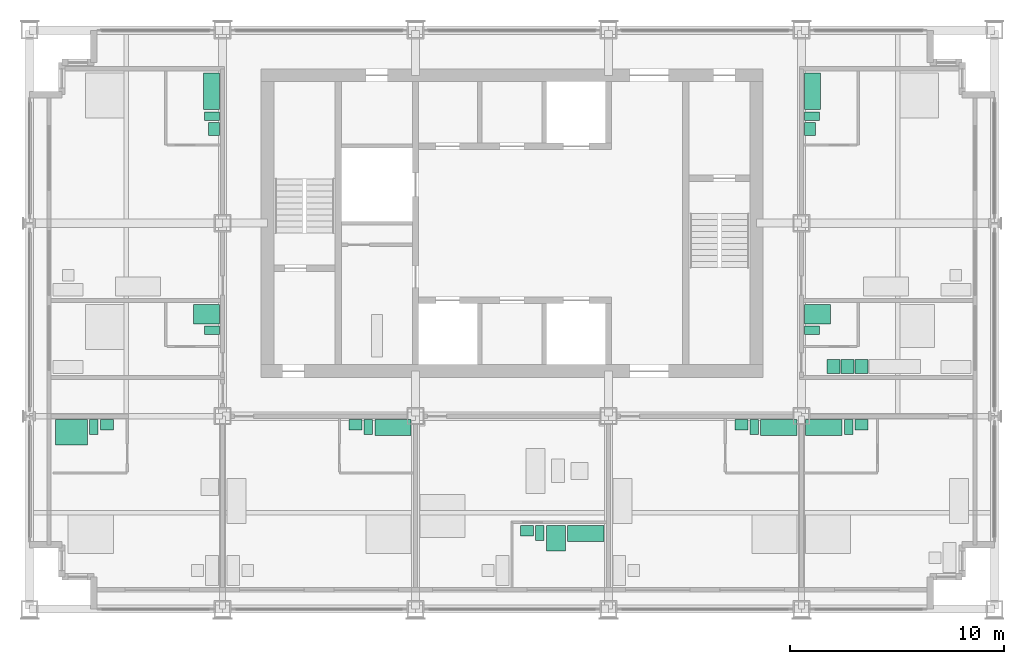
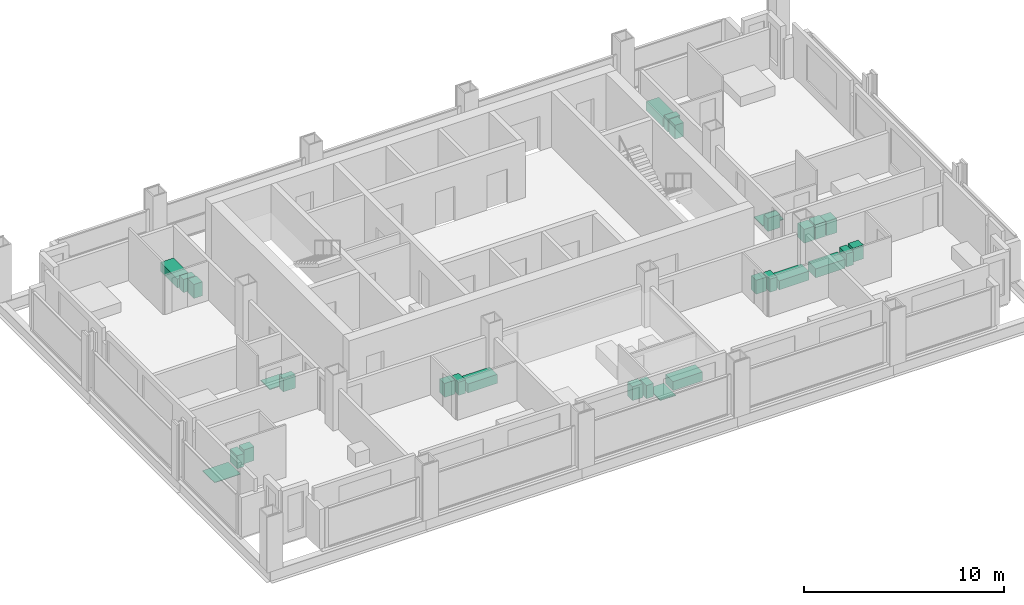
# One storey, part 12 of 13: 26 sanitary terminals, 3 electric appliances.
"""IFC4 building model written with IfcOpenShell, lengths in metres."""

from ifc_helpers import new_model, si_unit, direction, frame, origin, origin_2d, place, context, subcontext, project, spatial, rectangle, extrude, element, save


model = new_model("IFC4")

# Units and contexts
model_context = context("Model", 3, precision=1e-05, world=origin(), true_north=direction((0.0, 1.0)))
body_context = subcontext(model_context, "Body", "Model", "MODEL_VIEW")
ifc_project = project(units=[si_unit("LENGTHUNIT", "METRE"), si_unit("AREAUNIT", "SQUARE_METRE"), si_unit("VOLUMEUNIT", "CUBIC_METRE"), si_unit("PLANEANGLEUNIT", "RADIAN"), si_unit("MASSUNIT", "GRAM", prefix="KILO")], contexts=[model_context])

# Site, building, storey
site_placement = place(None, origin())
site = spatial("IfcSite", under=ifc_project, at=site_placement, CompositionType="ELEMENT")
building_placement = place(site_placement, origin())
building = spatial("IfcBuilding", under=site, at=building_placement, Name="Loomwork Tower", CompositionType="ELEMENT")
storey_placement = place(building_placement, frame((0.0, 0.0, 174.0)))
storey = spatial("IfcBuildingStorey", under=building, at=storey_placement, Name="L47", CompositionType="ELEMENT", Elevation=174.0)

# Sanitary terminals
sanitary_terminal_1_placement = place(storey_placement, frame((1.949951171875, 8.25, 0.0), z_axis=(0.0, 0.0, 1.0), x_axis=(1.0, 0.0, 0.0)))
element("IfcSanitaryTerminal", 1, at=sanitary_terminal_1_placement, inside=storey, Name="Roll-in shower floor L47", PredefinedType="SHOWER", context=body_context, shape_type="SweptSolid", body=[
    extrude(rectangle(XDim=1.5, YDim=1.199951171875, at=origin_2d()), origin(), (0.0, 0.0, 1.0), 0.030029296875),
])
sanitary_terminal_2_placement = place(storey_placement, frame((3.0, 8.5, 0.0), z_axis=(0.0, 0.0, 1.0), x_axis=(1.0, 0.0, 0.0)))
element("IfcSanitaryTerminal", 2, at=sanitary_terminal_2_placement, inside=storey, Name="WC L47", PredefinedType="TOILETPAN", context=body_context, shape_type="SweptSolid", body=[
    extrude(rectangle(XDim=0.39990234375, YDim=0.699951171875, at=origin_2d()), origin(), (0.0, 0.0, 1.0), 0.800048828125),
])
sanitary_terminal_3_placement = place(storey_placement, frame((3.60009765625, 8.60009765625, 0.0), z_axis=(0.0, 0.0, 1.0), x_axis=(1.0, 0.0, 0.0)))
element("IfcSanitaryTerminal", 3, at=sanitary_terminal_3_placement, inside=storey, Name="Basin vanity L47", PredefinedType="WASHHANDBASIN", context=body_context, shape_type="SweptSolid", body=[
    extrude(rectangle(XDim=0.60009765625, YDim=0.5, at=origin_2d()), origin(), (0.0, 0.0, 1.0), 0.85009765625),
])
sanitary_terminal_4_placement = place(storey_placement, frame((16.949951171875, 8.47509765625, 0.0), z_axis=(0.0, 0.0, 1.0), x_axis=(1.0, 0.0, 0.0)))
element("IfcSanitaryTerminal", 4, at=sanitary_terminal_4_placement, inside=storey, Name="Bath L47", PredefinedType="BATH", context=body_context, shape_type="SweptSolid", body=[
    extrude(rectangle(XDim=1.699951171875, YDim=0.75, at=origin_2d()), origin(), (0.0, 0.0, 1.0), 0.550048828125),
])
sanitary_terminal_5_placement = place(storey_placement, frame((15.800048828125, 8.5, 0.0), z_axis=(0.0, 0.0, 1.0), x_axis=(1.0, 0.0, 0.0)))
element("IfcSanitaryTerminal", 5, at=sanitary_terminal_5_placement, inside=storey, Name="WC L47", PredefinedType="TOILETPAN", context=body_context, shape_type="SweptSolid", body=[
    extrude(rectangle(XDim=0.39990234375, YDim=0.699951171875, at=origin_2d()), origin(), (0.0, 0.0, 1.0), 0.800048828125),
])
sanitary_terminal_6_placement = place(storey_placement, frame((15.199951171875, 8.60009765625, 0.0), z_axis=(0.0, 0.0, 1.0), x_axis=(1.0, 0.0, 0.0)))
element("IfcSanitaryTerminal", 6, at=sanitary_terminal_6_placement, inside=storey, Name="Basin vanity L47", PredefinedType="WASHHANDBASIN", context=body_context, shape_type="SweptSolid", body=[
    extrude(rectangle(XDim=0.60009765625, YDim=0.5, at=origin_2d()), origin(), (0.0, 0.0, 1.0), 0.85009765625),
])
sanitary_terminal_7_placement = place(storey_placement, frame((25.949951171875, 3.52490234375, 0.0), z_axis=(0.0, 0.0, 1.0), x_axis=(1.0, 0.0, 0.0)))
element("IfcSanitaryTerminal", 7, at=sanitary_terminal_7_placement, inside=storey, Name="Bath L47", PredefinedType="BATH", context=body_context, shape_type="SweptSolid", body=[
    extrude(rectangle(XDim=1.699951171875, YDim=0.75, at=origin_2d()), origin(), (0.0, 0.0, 1.0), 0.550048828125),
])
sanitary_terminal_8_placement = place(storey_placement, frame((24.550048828125, 3.300048828125, 0.0), z_axis=(0.0, 0.0, 1.0), x_axis=(1.0, 0.0, 0.0)))
element("IfcSanitaryTerminal", 8, at=sanitary_terminal_8_placement, inside=storey, Name="Shower tray L47", PredefinedType="SHOWER", context=body_context, shape_type="SweptSolid", body=[
    extrude(rectangle(XDim=0.89990234375, YDim=1.199951171875, at=origin_2d()), origin(), (0.0, 0.0, 1.0), 0.050048828125),
])
sanitary_terminal_9_placement = place(storey_placement, frame((23.800048828125, 3.550048828125, 0.0), z_axis=(0.0, 0.0, 1.0), x_axis=(1.0, 0.0, 0.0)))
element("IfcSanitaryTerminal", 9, at=sanitary_terminal_9_placement, inside=storey, Name="WC L47", PredefinedType="TOILETPAN", context=body_context, shape_type="SweptSolid", body=[
    extrude(rectangle(XDim=0.39990234375, YDim=0.699951171875, at=origin_2d()), origin(), (0.0, 0.0, 1.0), 0.800048828125),
])
sanitary_terminal_10_placement = place(storey_placement, frame((23.199951171875, 3.64990234375, 0.0), z_axis=(0.0, 0.0, 1.0), x_axis=(1.0, 0.0, 0.0)))
element("IfcSanitaryTerminal", 10, at=sanitary_terminal_10_placement, inside=storey, Name="Basin vanity L47", PredefinedType="WASHHANDBASIN", context=body_context, shape_type="SweptSolid", body=[
    extrude(rectangle(XDim=0.60009765625, YDim=0.5, at=origin_2d()), origin(), (0.0, 0.0, 1.0), 0.85009765625),
])
sanitary_terminal_11_placement = place(storey_placement, frame((34.949951171875, 8.47509765625, 0.0), z_axis=(0.0, 0.0, 1.0), x_axis=(1.0, 0.0, 0.0)))
element("IfcSanitaryTerminal", 11, at=sanitary_terminal_11_placement, inside=storey, Name="Bath L47", PredefinedType="BATH", context=body_context, shape_type="SweptSolid", body=[
    extrude(rectangle(XDim=1.699951171875, YDim=0.75, at=origin_2d()), origin(), (0.0, 0.0, 1.0), 0.550048828125),
])
sanitary_terminal_12_placement = place(storey_placement, frame((33.800048828125, 8.5, 0.0), z_axis=(0.0, 0.0, 1.0), x_axis=(1.0, 0.0, 0.0)))
element("IfcSanitaryTerminal", 12, at=sanitary_terminal_12_placement, inside=storey, Name="WC L47", PredefinedType="TOILETPAN", context=body_context, shape_type="SweptSolid", body=[
    extrude(rectangle(XDim=0.39990234375, YDim=0.699951171875, at=origin_2d()), origin(), (0.0, 0.0, 1.0), 0.800048828125),
])
sanitary_terminal_13_placement = place(storey_placement, frame((33.199951171875, 8.60009765625, 0.0), z_axis=(0.0, 0.0, 1.0), x_axis=(1.0, 0.0, 0.0)))
element("IfcSanitaryTerminal", 13, at=sanitary_terminal_13_placement, inside=storey, Name="Basin vanity L47", PredefinedType="WASHHANDBASIN", context=body_context, shape_type="SweptSolid", body=[
    extrude(rectangle(XDim=0.60009765625, YDim=0.5, at=origin_2d()), origin(), (0.0, 0.0, 1.0), 0.85009765625),
])
sanitary_terminal_14_placement = place(storey_placement, frame((37.050048828125, 8.47509765625, 0.0), z_axis=(0.0, 0.0, 1.0), x_axis=(1.0, 0.0, 0.0)))
element("IfcSanitaryTerminal", 14, at=sanitary_terminal_14_placement, inside=storey, Name="Bath L47", PredefinedType="BATH", context=body_context, shape_type="SweptSolid", body=[
    extrude(rectangle(XDim=1.699951171875, YDim=0.75, at=origin_2d()), origin(), (0.0, 0.0, 1.0), 0.550048828125),
])
sanitary_terminal_15_placement = place(storey_placement, frame((38.199951171875, 8.5, 0.0), z_axis=(0.0, 0.0, 1.0), x_axis=(1.0, 0.0, 0.0)))
element("IfcSanitaryTerminal", 15, at=sanitary_terminal_15_placement, inside=storey, Name="WC L47", PredefinedType="TOILETPAN", context=body_context, shape_type="SweptSolid", body=[
    extrude(rectangle(XDim=0.39990234375, YDim=0.699951171875, at=origin_2d()), origin(), (0.0, 0.0, 1.0), 0.800048828125),
])
sanitary_terminal_16_placement = place(storey_placement, frame((38.800048828125, 8.60009765625, 0.0), z_axis=(0.0, 0.0, 1.0), x_axis=(1.0, 0.0, 0.0)))
element("IfcSanitaryTerminal", 16, at=sanitary_terminal_16_placement, inside=storey, Name="Basin vanity L47", PredefinedType="WASHHANDBASIN", context=body_context, shape_type="SweptSolid", body=[
    extrude(rectangle(XDim=0.60009765625, YDim=0.5, at=origin_2d()), origin(), (0.0, 0.0, 1.0), 0.85009765625),
])
sanitary_terminal_17_placement = place(storey_placement, frame((8.25, 13.75, 0.0), z_axis=(0.0, 0.0, 1.0), x_axis=(1.0, 0.0, 0.0)))
element("IfcSanitaryTerminal", 17, at=sanitary_terminal_17_placement, inside=storey, Name="Shower tray L47", PredefinedType="SHOWER", context=body_context, shape_type="SweptSolid", body=[
    extrude(rectangle(XDim=1.199951171875, YDim=0.89990234375, at=origin_2d()), origin(), (0.0, 0.0, 1.0), 0.050048828125),
])
sanitary_terminal_18_placement = place(storey_placement, frame((8.5, 13.0, 0.0), z_axis=(0.0, 0.0, 1.0), x_axis=(1.0, 0.0, 0.0)))
element("IfcSanitaryTerminal", 18, at=sanitary_terminal_18_placement, inside=storey, Name="WC L47", PredefinedType="TOILETPAN", context=body_context, shape_type="SweptSolid", body=[
    extrude(rectangle(XDim=0.699951171875, YDim=0.39990234375, at=origin_2d()), origin(), (0.0, 0.0, 1.0), 0.800048828125),
])
sanitary_terminal_19_placement = place(storey_placement, frame((8.47509765625, 24.14990234375, 0.0), z_axis=(0.0, 0.0, 1.0), x_axis=(1.0, 0.0, 0.0)))
element("IfcSanitaryTerminal", 19, at=sanitary_terminal_19_placement, inside=storey, Name="Bath L47", PredefinedType="BATH", context=body_context, shape_type="SweptSolid", body=[
    extrude(rectangle(XDim=0.75, YDim=1.699951171875, at=origin_2d()), origin(), (0.0, 0.0, 1.0), 0.550048828125),
])
sanitary_terminal_20_placement = place(storey_placement, frame((8.5, 23.0, 0.0), z_axis=(0.0, 0.0, 1.0), x_axis=(1.0, 0.0, 0.0)))
element("IfcSanitaryTerminal", 20, at=sanitary_terminal_20_placement, inside=storey, Name="WC L47", PredefinedType="TOILETPAN", context=body_context, shape_type="SweptSolid", body=[
    extrude(rectangle(XDim=0.699951171875, YDim=0.39990234375, at=origin_2d()), origin(), (0.0, 0.0, 1.0), 0.800048828125),
])
sanitary_terminal_21_placement = place(storey_placement, frame((8.60009765625, 22.39990234375, 0.0), z_axis=(0.0, 0.0, 1.0), x_axis=(1.0, 0.0, 0.0)))
element("IfcSanitaryTerminal", 21, at=sanitary_terminal_21_placement, inside=storey, Name="Basin vanity L47", PredefinedType="WASHHANDBASIN", context=body_context, shape_type="SweptSolid", body=[
    extrude(rectangle(XDim=0.5, YDim=0.60009765625, at=origin_2d()), origin(), (0.0, 0.0, 1.0), 0.85009765625),
])
sanitary_terminal_22_placement = place(storey_placement, frame((36.75, 13.75, 0.0), z_axis=(0.0, 0.0, 1.0), x_axis=(1.0, 0.0, 0.0)))
element("IfcSanitaryTerminal", 22, at=sanitary_terminal_22_placement, inside=storey, Name="Shower tray L47", PredefinedType="SHOWER", context=body_context, shape_type="SweptSolid", body=[
    extrude(rectangle(XDim=1.199951171875, YDim=0.89990234375, at=origin_2d()), origin(), (0.0, 0.0, 1.0), 0.050048828125),
])
sanitary_terminal_23_placement = place(storey_placement, frame((36.5, 13.0, 0.0), z_axis=(0.0, 0.0, 1.0), x_axis=(1.0, 0.0, 0.0)))
element("IfcSanitaryTerminal", 23, at=sanitary_terminal_23_placement, inside=storey, Name="WC L47", PredefinedType="TOILETPAN", context=body_context, shape_type="SweptSolid", body=[
    extrude(rectangle(XDim=0.699951171875, YDim=0.39990234375, at=origin_2d()), origin(), (0.0, 0.0, 1.0), 0.800048828125),
])

# Electric appliances
electric_appliance_1_placement = place(storey_placement, frame((37.5, 11.324951171875, 0.0), z_axis=(0.0, 0.0, 1.0), x_axis=(1.0, 0.0, 0.0)))
element("IfcElectricAppliance", 24, at=electric_appliance_1_placement, inside=storey, Name="Refrigerator L47", PredefinedType="REFRIGERATOR", context=body_context, shape_type="SweptSolid", body=[
    extrude(rectangle(XDim=0.60009765625, YDim=0.64990234375, at=origin_2d()), origin(), (0.0, 0.0, 1.0), 0.85009765625),
])
electric_appliance_2_placement = place(storey_placement, frame((38.14990234375, 11.324951171875, 0.0), z_axis=(0.0, 0.0, 1.0), x_axis=(1.0, 0.0, 0.0)))
element("IfcElectricAppliance", 25, at=electric_appliance_2_placement, inside=storey, Name="Two-ring cooktop and oven L47", PredefinedType="ELECTRICCOOKER", context=body_context, shape_type="SweptSolid", body=[
    extrude(rectangle(XDim=0.60009765625, YDim=0.64990234375, at=origin_2d()), origin(), (0.0, 0.0, 1.0), 0.89990234375),
])
electric_appliance_3_placement = place(storey_placement, frame((38.800048828125, 11.324951171875, 0.0), z_axis=(0.0, 0.0, 1.0), x_axis=(1.0, 0.0, 0.0)))
element("IfcElectricAppliance", 26, at=electric_appliance_3_placement, inside=storey, Name="Dishwasher L47", PredefinedType="DISHWASHER", context=body_context, shape_type="SweptSolid", body=[
    extrude(rectangle(XDim=0.60009765625, YDim=0.64990234375, at=origin_2d()), origin(), (0.0, 0.0, 1.0), 0.85009765625),
])

# Sanitary terminals
sanitary_terminal_24_placement = place(storey_placement, frame((36.52490234375, 24.14990234375, 0.0), z_axis=(0.0, 0.0, 1.0), x_axis=(1.0, 0.0, 0.0)))
element("IfcSanitaryTerminal", 27, at=sanitary_terminal_24_placement, inside=storey, Name="Bath L47", PredefinedType="BATH", context=body_context, shape_type="SweptSolid", body=[
    extrude(rectangle(XDim=0.75, YDim=1.699951171875, at=origin_2d()), origin(), (0.0, 0.0, 1.0), 0.550048828125),
])
sanitary_terminal_25_placement = place(storey_placement, frame((36.5, 23.0, 0.0), z_axis=(0.0, 0.0, 1.0), x_axis=(1.0, 0.0, 0.0)))
element("IfcSanitaryTerminal", 28, at=sanitary_terminal_25_placement, inside=storey, Name="WC L47", PredefinedType="TOILETPAN", context=body_context, shape_type="SweptSolid", body=[
    extrude(rectangle(XDim=0.699951171875, YDim=0.39990234375, at=origin_2d()), origin(), (0.0, 0.0, 1.0), 0.800048828125),
])
sanitary_terminal_26_placement = place(storey_placement, frame((36.39990234375, 22.39990234375, 0.0), z_axis=(0.0, 0.0, 1.0), x_axis=(1.0, 0.0, 0.0)))
element("IfcSanitaryTerminal", 29, at=sanitary_terminal_26_placement, inside=storey, Name="Basin vanity L47", PredefinedType="WASHHANDBASIN", context=body_context, shape_type="SweptSolid", body=[
    extrude(rectangle(XDim=0.5, YDim=0.60009765625, at=origin_2d()), origin(), (0.0, 0.0, 1.0), 0.85009765625),
])

save(model, "model.ifc")
